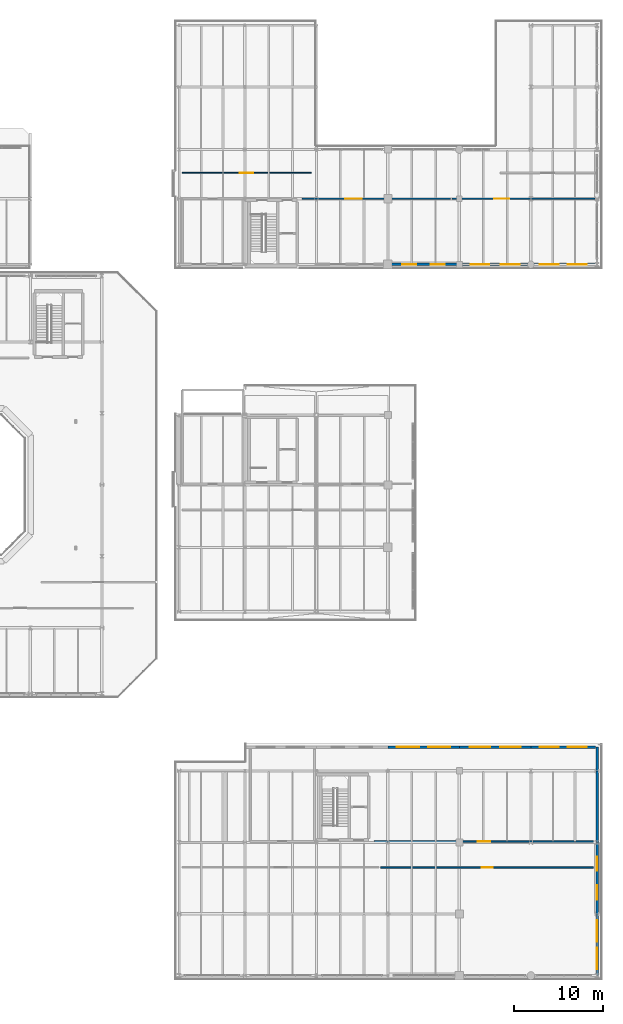
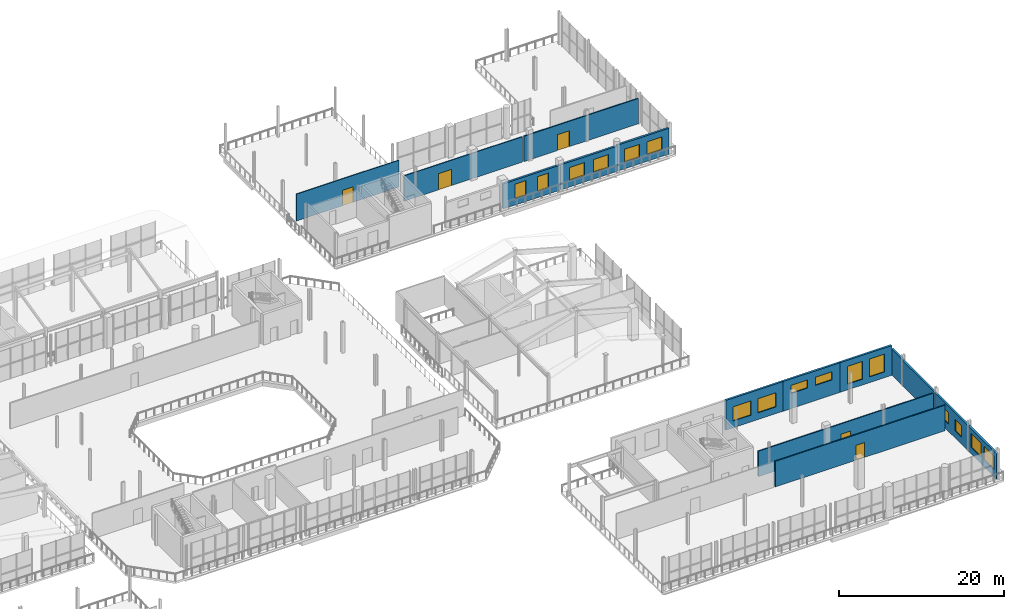
# One storey, part 53 of 70: 16 windows, 15 walls, 5 doors, 21 openings.
"""IFC4 building model written with IfcOpenShell, lengths in metres."""

from ifc_helpers import new_model, si_unit, direction, frame, frame_2d, origin, place, context, subcontext, project, spatial, rectangle, extrude, material, layer, layer_set, type_object, element, fill, save


model = new_model("IFC4")

# Units and contexts
model_context = context("Model", 3, precision=1e-05, world=origin(), true_north=direction((0.0, 1.0)))
body_context = subcontext(model_context, "Body", "Model", "MODEL_VIEW")
ifc_project = project(units=[si_unit("LENGTHUNIT", "METRE"), si_unit("AREAUNIT", "SQUARE_METRE"), si_unit("VOLUMEUNIT", "CUBIC_METRE"), si_unit("PLANEANGLEUNIT", "RADIAN"), si_unit("MASSUNIT", "GRAM", prefix="KILO")], contexts=[model_context])

# Site, building, storey
site_placement = place(None, origin())
site = spatial("IfcSite", under=ifc_project, at=site_placement, CompositionType="ELEMENT")
building_placement = place(site_placement, origin())
building = spatial("IfcBuilding", under=site, at=building_placement, Name="Brisemont Oceanarium", CompositionType="ELEMENT")
storey_placement = place(building_placement, frame((0.0, 0.0, 10.199951171875)))
storey = spatial("IfcBuildingStorey", under=building, at=storey_placement, Name="L02", CompositionType="ELEMENT", Elevation=10.199951171875)

# Wall, openings, windows
ifc_material_1 = material(Name="Beaux-Arts Limestone Cladding Precast Concrete C40/50", Category="masonry")
ifc_layer_1 = layer(ifc_material_1, 0.280029296875)
ifc_layer_set_1 = layer_set([ifc_layer_1], Name="Beaux-Arts Limestone Cladding Precast Concrete C40/50")
wall_type_1 = type_object("IfcWallType", Name="EW-LIME-280", PredefinedType="STANDARD", material=ifc_layer_set_1)
wall_1_placement = place(storey_placement, frame((136.0, 26.64990234375, 0.0), z_axis=(0.0, 0.0, 1.0), x_axis=(1.0, 0.0, 0.0)))
wall_1 = element("IfcWall", 1, at=wall_1_placement, inside=storey, type_object=wall_type_1, Name="Beaux-Arts exterior wall EW-V3N-L02-3", PredefinedType="STANDARD", context=body_context, shape_type="SweptSolid", body=[
    extrude(rectangle(XDim=8.0, YDim=0.280029296875, at=frame_2d((4.0, 0.0))), origin(), (0.0, 0.0, 1.0), 4.400146484375),
])
opening_1_placement = place(wall_1_placement, frame((1.0, 0.0, 1.0)))
opening_1 = element("IfcOpeningElement", 2, at=opening_1_placement, cuts=wall_1, Name="Opening WIN-09", PredefinedType="OPENING", context=body_context, shape_type="SweptSolid", body=[
    extrude(rectangle(XDim=2.5, YDim=2.10009765625, at=frame_2d((1.25, 1.050048828125))), frame((0.0, 0.14990234375, 0.0), z_axis=(0.0, -1.0, 0.0), x_axis=(1.0, 0.0, 0.0)), (0.0, 0.0, 1.0), 0.300048828125),
])
opening_2_placement = place(wall_1_placement, frame((4.5, 0.0, 1.0)))
opening_2 = element("IfcOpeningElement", 3, at=opening_2_placement, cuts=wall_1, Name="Opening WIN-09", PredefinedType="OPENING", context=body_context, shape_type="SweptSolid", body=[
    extrude(rectangle(XDim=2.5, YDim=2.10009765625, at=frame_2d((1.25, 1.050048828125))), frame((0.0, 0.14990234375, 0.0), z_axis=(0.0, -1.0, 0.0), x_axis=(1.0, 0.0, 0.0)), (0.0, 0.0, 1.0), 0.300048828125),
])
ifc_material_2 = material(Name="Insulated Low-E Laminated Glass", Category="glass")
window_type_1 = type_object("IfcWindowType", Name="WIN-LAB-2500X2100", PartitioningType="SINGLE_PANEL", PredefinedType="WINDOW", material=ifc_material_2)
window_1_placement = place(opening_1_placement, origin())
window_1 = element("IfcWindow", 4, at=window_1_placement, inside=storey, type_object=window_type_1, Name="WIN-09 facade window 9", OverallHeight=2.10009765625, OverallWidth=2.5, PartitioningType="SINGLE_PANEL", PredefinedType="WINDOW", context=body_context, shape_type="SweptSolid", body=[
    extrude(rectangle(XDim=2.5, YDim=2.10009765625, at=frame_2d((1.25, 1.050048828125))), frame((0.0, 0.030029296875, 0.0), z_axis=(0.0, -1.0, 0.0), x_axis=(1.0, 0.0, 0.0)), (0.0, 0.0, 1.0), 0.06005859375),
])
fill(opening_1, window_1)
window_2_placement = place(opening_2_placement, origin())
window_2 = element("IfcWindow", 5, at=window_2_placement, inside=storey, type_object=window_type_1, Name="WIN-09 facade window 10", OverallHeight=2.10009765625, OverallWidth=2.5, PartitioningType="SINGLE_PANEL", PredefinedType="WINDOW", context=body_context, shape_type="SweptSolid", body=[
    extrude(rectangle(XDim=2.5, YDim=2.10009765625, at=frame_2d((1.25, 1.050048828125))), frame((0.0, 0.030029296875, 0.0), z_axis=(0.0, -1.0, 0.0), x_axis=(1.0, 0.0, 0.0)), (0.0, 0.0, 1.0), 0.06005859375),
])
fill(opening_2, window_2)

wall_2_placement = place(storey_placement, frame((144.0, 26.64990234375, 0.0), z_axis=(0.0, 0.0, 1.0), x_axis=(1.0, 0.0, 0.0)))
wall_2 = element("IfcWall", 6, at=wall_2_placement, inside=storey, type_object=wall_type_1, Name="Beaux-Arts exterior wall EW-V3N-L02-4", PredefinedType="STANDARD", context=body_context, shape_type="SweptSolid", body=[
    extrude(rectangle(XDim=8.0, YDim=0.280029296875, at=frame_2d((4.0, 0.0))), origin(), (0.0, 0.0, 1.0), 4.400146484375),
])
opening_3_placement = place(wall_2_placement, frame((1.13330078125, 0.0, 2.25)))
opening_3 = element("IfcOpeningElement", 7, at=opening_3_placement, cuts=wall_2, Name="Opening WIN-13", PredefinedType="OPENING", context=body_context, shape_type="SweptSolid", body=[
    extrude(rectangle(XDim=2.300048828125, YDim=1.199951171875, at=frame_2d((1.14990234375, 0.60009765625))), frame((0.0, 0.14990234375, 0.0), z_axis=(0.0, -1.0, 0.0), x_axis=(1.0, 0.0, 0.0)), (0.0, 0.0, 1.0), 0.300048828125),
])
opening_4_placement = place(wall_2_placement, frame((4.566650390625, 0.0, 2.25)))
opening_4 = element("IfcOpeningElement", 8, at=opening_4_placement, cuts=wall_2, Name="Opening WIN-13", PredefinedType="OPENING", context=body_context, shape_type="SweptSolid", body=[
    extrude(rectangle(XDim=2.300048828125, YDim=1.199951171875, at=frame_2d((1.14990234375, 0.60009765625))), frame((0.0, 0.14990234375, 0.0), z_axis=(0.0, -1.0, 0.0), x_axis=(1.0, 0.0, 0.0)), (0.0, 0.0, 1.0), 0.300048828125),
])
ifc_material_3 = material(Name="Insulated Low-E Laminated Glass", Category="glass")
window_type_2 = type_object("IfcWindowType", Name="WIN-CLR-2300X1200", PartitioningType="SINGLE_PANEL", PredefinedType="WINDOW", material=ifc_material_3)
window_3_placement = place(opening_3_placement, origin())
window_3 = element("IfcWindow", 9, at=window_3_placement, inside=storey, type_object=window_type_2, Name="WIN-13 facade window 13", OverallHeight=1.199951171875, OverallWidth=2.300048828125, PartitioningType="SINGLE_PANEL", PredefinedType="WINDOW", context=body_context, shape_type="SweptSolid", body=[
    extrude(rectangle(XDim=2.300048828125, YDim=1.199951171875, at=frame_2d((1.14990234375, 0.60009765625))), frame((0.0, 0.030029296875, 0.0), z_axis=(0.0, -1.0, 0.0), x_axis=(1.0, 0.0, 0.0)), (0.0, 0.0, 1.0), 0.06005859375),
])
fill(opening_3, window_3)
window_4_placement = place(opening_4_placement, origin())
window_4 = element("IfcWindow", 10, at=window_4_placement, inside=storey, type_object=window_type_2, Name="WIN-13 facade window 14", OverallHeight=1.199951171875, OverallWidth=2.300048828125, PartitioningType="SINGLE_PANEL", PredefinedType="WINDOW", context=body_context, shape_type="SweptSolid", body=[
    extrude(rectangle(XDim=2.300048828125, YDim=1.199951171875, at=frame_2d((1.14990234375, 0.60009765625))), frame((0.0, 0.030029296875, 0.0), z_axis=(0.0, -1.0, 0.0), x_axis=(1.0, 0.0, 0.0)), (0.0, 0.0, 1.0), 0.06005859375),
])
fill(opening_4, window_4)

wall_3_placement = place(storey_placement, frame((152.0, 26.64990234375, 0.0), z_axis=(0.0, 0.0, 1.0), x_axis=(1.0, 0.0, 0.0)))
wall_3 = element("IfcWall", 11, at=wall_3_placement, inside=storey, type_object=wall_type_1, Name="Beaux-Arts exterior wall EW-V3N-L02-5", PredefinedType="STANDARD", context=body_context, shape_type="SweptSolid", body=[
    extrude(rectangle(XDim=7.25, YDim=0.280029296875, at=frame_2d((3.625, 0.0))), origin(), (0.0, 0.0, 1.0), 4.400146484375),
])
opening_5_placement = place(wall_3_placement, frame((1.0166015625, 0.0, 0.85009765625)))
opening_5 = element("IfcOpeningElement", 12, at=opening_5_placement, cuts=wall_3, Name="Opening WIN-17", PredefinedType="OPENING", context=body_context, shape_type="SweptSolid", body=[
    extrude(rectangle(XDim=2.10009765625, YDim=2.64990234375, at=frame_2d((1.050048828125, 1.324951171875))), frame((0.0, 0.14990234375, 0.0), z_axis=(0.0, -1.0, 0.0), x_axis=(1.0, 0.0, 0.0)), (0.0, 0.0, 1.0), 0.300048828125),
])
opening_6_placement = place(wall_3_placement, frame((4.13330078125, 0.0, 0.85009765625)))
opening_6 = element("IfcOpeningElement", 13, at=opening_6_placement, cuts=wall_3, Name="Opening WIN-17", PredefinedType="OPENING", context=body_context, shape_type="SweptSolid", body=[
    extrude(rectangle(XDim=2.10009765625, YDim=2.64990234375, at=frame_2d((1.050048828125, 1.324951171875))), frame((0.0, 0.14990234375, 0.0), z_axis=(0.0, -1.0, 0.0), x_axis=(1.0, 0.0, 0.0)), (0.0, 0.0, 1.0), 0.300048828125),
])
ifc_material_4 = material(Name="Insulated Low-E Laminated Glass", Category="glass")
window_type_3 = type_object("IfcWindowType", Name="WIN-BA-2100X2650", PartitioningType="SINGLE_PANEL", PredefinedType="WINDOW", material=ifc_material_4)
window_5_placement = place(opening_5_placement, origin())
window_5 = element("IfcWindow", 14, at=window_5_placement, inside=storey, type_object=window_type_3, Name="WIN-17 facade window 17", OverallHeight=2.64990234375, OverallWidth=2.10009765625, PartitioningType="SINGLE_PANEL", PredefinedType="WINDOW", context=body_context, shape_type="SweptSolid", body=[
    extrude(rectangle(XDim=2.10009765625, YDim=2.64990234375, at=frame_2d((1.050048828125, 1.324951171875))), frame((0.0, 0.030029296875, 0.0), z_axis=(0.0, -1.0, 0.0), x_axis=(1.0, 0.0, 0.0)), (0.0, 0.0, 1.0), 0.06005859375),
])
fill(opening_5, window_5)
window_6_placement = place(opening_6_placement, origin())
window_6 = element("IfcWindow", 15, at=window_6_placement, inside=storey, type_object=window_type_3, Name="WIN-17 facade window 18", OverallHeight=2.64990234375, OverallWidth=2.10009765625, PartitioningType="SINGLE_PANEL", PredefinedType="WINDOW", context=body_context, shape_type="SweptSolid", body=[
    extrude(rectangle(XDim=2.10009765625, YDim=2.64990234375, at=frame_2d((1.050048828125, 1.324951171875))), frame((0.0, 0.030029296875, 0.0), z_axis=(0.0, -1.0, 0.0), x_axis=(1.0, 0.0, 0.0)), (0.0, 0.0, 1.0), 0.06005859375),
])
fill(opening_6, window_6)

wall_4_placement = place(storey_placement, frame((136.0, 80.64990234375, 0.0), z_axis=(0.0, 0.0, 1.0), x_axis=(1.0, 0.0, 0.0)))
wall_4 = element("IfcWall", 16, at=wall_4_placement, inside=storey, type_object=wall_type_1, Name="Beaux-Arts exterior wall EW-V6S-L02-4", PredefinedType="STANDARD", context=body_context, shape_type="SweptSolid", body=[
    extrude(rectangle(XDim=8.0, YDim=0.280029296875, at=frame_2d((4.0, 0.0))), origin(), (0.0, 0.0, 1.0), 3.719970703125),
])
opening_7_placement = place(wall_4_placement, frame((1.63330078125, 0.0, 0.949951171875)))
opening_7 = element("IfcOpeningElement", 17, at=opening_7_placement, cuts=wall_4, Name="Opening WIN-21", PredefinedType="OPENING", context=body_context, shape_type="SweptSolid", body=[
    extrude(rectangle(XDim=1.550048828125, YDim=2.14990234375, at=frame_2d((0.77490234375, 1.074951171875))), frame((0.0, 0.14990234375, 0.0), z_axis=(0.0, -1.0, 0.0), x_axis=(1.0, 0.0, 0.0)), (0.0, 0.0, 1.0), 0.300048828125),
])
opening_8_placement = place(wall_4_placement, frame((4.816650390625, 0.0, 0.949951171875)))
opening_8 = element("IfcOpeningElement", 18, at=opening_8_placement, cuts=wall_4, Name="Opening WIN-21", PredefinedType="OPENING", context=body_context, shape_type="SweptSolid", body=[
    extrude(rectangle(XDim=1.550048828125, YDim=2.14990234375, at=frame_2d((0.77490234375, 1.074951171875))), frame((0.0, 0.14990234375, 0.0), z_axis=(0.0, -1.0, 0.0), x_axis=(1.0, 0.0, 0.0)), (0.0, 0.0, 1.0), 0.300048828125),
])
ifc_material_5 = material(Name="Insulated Low-E Laminated Glass", Category="glass")
window_type_4 = type_object("IfcWindowType", Name="WIN-BA-1550X2150", PartitioningType="SINGLE_PANEL", PredefinedType="WINDOW", material=ifc_material_5)
window_7_placement = place(opening_7_placement, origin())
window_7 = element("IfcWindow", 19, at=window_7_placement, inside=storey, type_object=window_type_4, Name="WIN-21 facade window 75", OverallHeight=2.14990234375, OverallWidth=1.550048828125, PartitioningType="SINGLE_PANEL", PredefinedType="WINDOW", context=body_context, shape_type="SweptSolid", body=[
    extrude(rectangle(XDim=1.550048828125, YDim=2.14990234375, at=frame_2d((0.77490234375, 1.074951171875))), frame((0.0, 0.030029296875, 0.0), z_axis=(0.0, -1.0, 0.0), x_axis=(1.0, 0.0, 0.0)), (0.0, 0.0, 1.0), 0.06005859375),
])
fill(opening_7, window_7)
window_8_placement = place(opening_8_placement, origin())
window_8 = element("IfcWindow", 20, at=window_8_placement, inside=storey, type_object=window_type_4, Name="WIN-21 facade window 76", OverallHeight=2.14990234375, OverallWidth=1.550048828125, PartitioningType="SINGLE_PANEL", PredefinedType="WINDOW", context=body_context, shape_type="SweptSolid", body=[
    extrude(rectangle(XDim=1.550048828125, YDim=2.14990234375, at=frame_2d((0.77490234375, 1.074951171875))), frame((0.0, 0.030029296875, 0.0), z_axis=(0.0, -1.0, 0.0), x_axis=(1.0, 0.0, 0.0)), (0.0, 0.0, 1.0), 0.06005859375),
])
fill(opening_8, window_8)

wall_5_placement = place(storey_placement, frame((144.0, 80.64990234375, 0.0), z_axis=(0.0, 0.0, 1.0), x_axis=(1.0, 0.0, 0.0)))
wall_5 = element("IfcWall", 21, at=wall_5_placement, inside=storey, type_object=wall_type_1, Name="Beaux-Arts exterior wall EW-V6S-L02-5", PredefinedType="STANDARD", context=body_context, shape_type="SweptSolid", body=[
    extrude(rectangle(XDim=8.0, YDim=0.280029296875, at=frame_2d((4.0, 0.0))), origin(), (0.0, 0.0, 1.0), 3.719970703125),
])
opening_9_placement = place(wall_5_placement, frame((1.2666015625, 0.0, 1.0)))
opening_9 = element("IfcOpeningElement", 22, at=opening_9_placement, cuts=wall_5, Name="Opening WIN-10", PredefinedType="OPENING", context=body_context, shape_type="SweptSolid", body=[
    extrude(rectangle(XDim=2.10009765625, YDim=1.89990234375, at=frame_2d((1.050048828125, 0.949951171875))), frame((0.0, 0.14990234375, 0.0), z_axis=(0.0, -1.0, 0.0), x_axis=(1.0, 0.0, 0.0)), (0.0, 0.0, 1.0), 0.300048828125),
])
opening_10_placement = place(wall_5_placement, frame((4.63330078125, 0.0, 1.0)))
opening_10 = element("IfcOpeningElement", 23, at=opening_10_placement, cuts=wall_5, Name="Opening WIN-10", PredefinedType="OPENING", context=body_context, shape_type="SweptSolid", body=[
    extrude(rectangle(XDim=2.10009765625, YDim=1.89990234375, at=frame_2d((1.050048828125, 0.949951171875))), frame((0.0, 0.14990234375, 0.0), z_axis=(0.0, -1.0, 0.0), x_axis=(1.0, 0.0, 0.0)), (0.0, 0.0, 1.0), 0.300048828125),
])
ifc_material_6 = material(Name="Insulated Low-E Laminated Glass", Category="glass")
window_type_5 = type_object("IfcWindowType", Name="WIN-LAB-2100X1900", PartitioningType="SINGLE_PANEL", PredefinedType="WINDOW", material=ifc_material_6)
window_9_placement = place(opening_9_placement, origin())
window_9 = element("IfcWindow", 24, at=window_9_placement, inside=storey, type_object=window_type_5, Name="WIN-10 facade window 83", OverallHeight=1.89990234375, OverallWidth=2.10009765625, PartitioningType="SINGLE_PANEL", PredefinedType="WINDOW", context=body_context, shape_type="SweptSolid", body=[
    extrude(rectangle(XDim=2.10009765625, YDim=1.89990234375, at=frame_2d((1.050048828125, 0.949951171875))), frame((0.0, 0.030029296875, 0.0), z_axis=(0.0, -1.0, 0.0), x_axis=(1.0, 0.0, 0.0)), (0.0, 0.0, 1.0), 0.06005859375),
])
fill(opening_9, window_9)
window_10_placement = place(opening_10_placement, origin())
window_10 = element("IfcWindow", 25, at=window_10_placement, inside=storey, type_object=window_type_5, Name="WIN-10 facade window 84", OverallHeight=1.89990234375, OverallWidth=2.10009765625, PartitioningType="SINGLE_PANEL", PredefinedType="WINDOW", context=body_context, shape_type="SweptSolid", body=[
    extrude(rectangle(XDim=2.10009765625, YDim=1.89990234375, at=frame_2d((1.050048828125, 0.949951171875))), frame((0.0, 0.030029296875, 0.0), z_axis=(0.0, -1.0, 0.0), x_axis=(1.0, 0.0, 0.0)), (0.0, 0.0, 1.0), 0.06005859375),
])
fill(opening_10, window_10)

wall_6_placement = place(storey_placement, frame((152.0, 80.64990234375, 0.0), z_axis=(0.0, 0.0, 1.0), x_axis=(1.0, 0.0, 0.0)))
wall_6 = element("IfcWall", 26, at=wall_6_placement, inside=storey, type_object=wall_type_1, Name="Beaux-Arts exterior wall EW-V6S-L02-6", PredefinedType="STANDARD", context=body_context, shape_type="SweptSolid", body=[
    extrude(rectangle(XDim=7.25, YDim=0.280029296875, at=frame_2d((3.625, 0.0))), origin(), (0.0, 0.0, 1.0), 3.837158203125),
])
opening_11_placement = place(wall_6_placement, frame((1.0166015625, 0.0, 1.0)))
opening_11 = element("IfcOpeningElement", 27, at=opening_11_placement, cuts=wall_6, Name="Opening WIN-10", PredefinedType="OPENING", context=body_context, shape_type="SweptSolid", body=[
    extrude(rectangle(XDim=2.10009765625, YDim=1.89990234375, at=frame_2d((1.050048828125, 0.949951171875))), frame((0.0, 0.14990234375, 0.0), z_axis=(0.0, -1.0, 0.0), x_axis=(1.0, 0.0, 0.0)), (0.0, 0.0, 1.0), 0.300048828125),
])
opening_12_placement = place(wall_6_placement, frame((4.13330078125, 0.0, 1.0)))
opening_12 = element("IfcOpeningElement", 28, at=opening_12_placement, cuts=wall_6, Name="Opening WIN-10", PredefinedType="OPENING", context=body_context, shape_type="SweptSolid", body=[
    extrude(rectangle(XDim=2.10009765625, YDim=1.89990234375, at=frame_2d((1.050048828125, 0.949951171875))), frame((0.0, 0.14990234375, 0.0), z_axis=(0.0, -1.0, 0.0), x_axis=(1.0, 0.0, 0.0)), (0.0, 0.0, 1.0), 0.300048828125),
])
window_11_placement = place(opening_11_placement, origin())
window_11 = element("IfcWindow", 29, at=window_11_placement, inside=storey, type_object=window_type_5, Name="WIN-10 facade window 91", OverallHeight=1.89990234375, OverallWidth=2.10009765625, PartitioningType="SINGLE_PANEL", PredefinedType="WINDOW", context=body_context, shape_type="SweptSolid", body=[
    extrude(rectangle(XDim=2.10009765625, YDim=1.89990234375, at=frame_2d((1.050048828125, 0.949951171875))), frame((0.0, 0.030029296875, 0.0), z_axis=(0.0, -1.0, 0.0), x_axis=(1.0, 0.0, 0.0)), (0.0, 0.0, 1.0), 0.06005859375),
])
fill(opening_11, window_11)
window_12_placement = place(opening_12_placement, origin())
window_12 = element("IfcWindow", 30, at=window_12_placement, inside=storey, type_object=window_type_5, Name="WIN-10 facade window 92", OverallHeight=1.89990234375, OverallWidth=2.10009765625, PartitioningType="SINGLE_PANEL", PredefinedType="WINDOW", context=body_context, shape_type="SweptSolid", body=[
    extrude(rectangle(XDim=2.10009765625, YDim=1.89990234375, at=frame_2d((1.050048828125, 0.949951171875))), frame((0.0, 0.030029296875, 0.0), z_axis=(0.0, -1.0, 0.0), x_axis=(1.0, 0.0, 0.0)), (0.0, 0.0, 1.0), 0.06005859375),
])
fill(opening_12, window_12)

wall_7_placement = place(storey_placement, frame((159.39990234375, 1.10009765625, 0.0), z_axis=(0.0, 0.0, 1.0), x_axis=(0.0, 1.0, 0.0)))
wall_7 = element("IfcWall", 31, at=wall_7_placement, inside=storey, type_object=wall_type_1, Name="Beaux-Arts exterior wall EW-V3-E-L02-1", PredefinedType="STANDARD", context=body_context, shape_type="SweptSolid", body=[
    extrude(rectangle(XDim=6.89990234375, YDim=0.280029296875, at=frame_2d((3.449951171875, 0.0))), origin(), (0.0, 0.0, 1.0), 3.739990234375),
])
opening_13_placement = place(wall_7_placement, frame((0.699951171875, 0.0, 1.0)))
opening_13 = element("IfcOpeningElement", 32, at=opening_13_placement, cuts=wall_7, Name="Opening WIN-25", PredefinedType="OPENING", context=body_context, shape_type="SweptSolid", body=[
    extrude(rectangle(XDim=2.39990234375, YDim=2.050048828125, at=frame_2d((1.199951171875, 1.02490234375))), frame((0.0, 0.14990234375, 0.0), z_axis=(0.0, -1.0, 0.0), x_axis=(1.0, 0.0, 0.0)), (0.0, 0.0, 1.0), 0.300048828125),
])
opening_14_placement = place(wall_7_placement, frame((3.800048828125, 0.0, 1.0)))
opening_14 = element("IfcOpeningElement", 33, at=opening_14_placement, cuts=wall_7, Name="Opening WIN-25", PredefinedType="OPENING", context=body_context, shape_type="SweptSolid", body=[
    extrude(rectangle(XDim=2.39990234375, YDim=2.050048828125, at=frame_2d((1.199951171875, 1.02490234375))), frame((0.0, 0.14990234375, 0.0), z_axis=(0.0, -1.0, 0.0), x_axis=(1.0, 0.0, 0.0)), (0.0, 0.0, 1.0), 0.300048828125),
])
ifc_material_7 = material(Name="Insulated Low-E Laminated Glass", Category="glass")
window_type_6 = type_object("IfcWindowType", Name="WIN-LAB-2400X2050", PartitioningType="SINGLE_PANEL", PredefinedType="WINDOW", material=ifc_material_7)
window_13_placement = place(opening_13_placement, origin())
window_13 = element("IfcWindow", 34, at=window_13_placement, inside=storey, type_object=window_type_6, Name="WIN-25 facade window 106", OverallHeight=2.050048828125, OverallWidth=2.39990234375, PartitioningType="SINGLE_PANEL", PredefinedType="WINDOW", context=body_context, shape_type="SweptSolid", body=[
    extrude(rectangle(XDim=2.39990234375, YDim=2.050048828125, at=frame_2d((1.199951171875, 1.02490234375))), frame((0.0, 0.030029296875, 0.0), z_axis=(0.0, -1.0, 0.0), x_axis=(1.0, 0.0, 0.0)), (0.0, 0.0, 1.0), 0.06005859375),
])
fill(opening_13, window_13)
window_14_placement = place(opening_14_placement, origin())
window_14 = element("IfcWindow", 35, at=window_14_placement, inside=storey, type_object=window_type_6, Name="WIN-25 facade window 107", OverallHeight=2.050048828125, OverallWidth=2.39990234375, PartitioningType="SINGLE_PANEL", PredefinedType="WINDOW", context=body_context, shape_type="SweptSolid", body=[
    extrude(rectangle(XDim=2.39990234375, YDim=2.050048828125, at=frame_2d((1.199951171875, 1.02490234375))), frame((0.0, 0.030029296875, 0.0), z_axis=(0.0, -1.0, 0.0), x_axis=(1.0, 0.0, 0.0)), (0.0, 0.0, 1.0), 0.06005859375),
])
fill(opening_14, window_14)

wall_8_placement = place(storey_placement, frame((159.39990234375, 8.0, 0.0), z_axis=(0.0, 0.0, 1.0), x_axis=(0.0, 1.0, 0.0)))
wall_8 = element("IfcWall", 36, at=wall_8_placement, inside=storey, type_object=wall_type_1, Name="Beaux-Arts exterior wall EW-V3-E-L02-2", PredefinedType="STANDARD", context=body_context, shape_type="SweptSolid", body=[
    extrude(rectangle(XDim=8.0, YDim=0.280029296875, at=frame_2d((4.0, 0.0))), origin(), (0.0, 0.0, 1.0), 3.739990234375),
])
opening_15_placement = place(wall_8_placement, frame((1.60009765625, 0.0, 1.050048828125)))
opening_15 = element("IfcOpeningElement", 37, at=opening_15_placement, cuts=wall_8, Name="Opening WIN-27", PredefinedType="OPENING", context=body_context, shape_type="SweptSolid", body=[
    extrude(rectangle(XDim=1.60009765625, YDim=1.75, at=frame_2d((0.800048828125, 0.875))), frame((0.0, 0.14990234375, 0.0), z_axis=(0.0, -1.0, 0.0), x_axis=(1.0, 0.0, 0.0)), (0.0, 0.0, 1.0), 0.300048828125),
])
opening_16_placement = place(wall_8_placement, frame((4.800048828125, 0.0, 1.050048828125)))
opening_16 = element("IfcOpeningElement", 38, at=opening_16_placement, cuts=wall_8, Name="Opening WIN-27", PredefinedType="OPENING", context=body_context, shape_type="SweptSolid", body=[
    extrude(rectangle(XDim=1.60009765625, YDim=1.75, at=frame_2d((0.800048828125, 0.875))), frame((0.0, 0.14990234375, 0.0), z_axis=(0.0, -1.0, 0.0), x_axis=(1.0, 0.0, 0.0)), (0.0, 0.0, 1.0), 0.300048828125),
])
ifc_material_8 = material(Name="Insulated Low-E Laminated Glass", Category="glass")
window_type_7 = type_object("IfcWindowType", Name="WIN-LAB-1600X1750", PartitioningType="SINGLE_PANEL", PredefinedType="WINDOW", material=ifc_material_8)
window_15_placement = place(opening_15_placement, origin())
window_15 = element("IfcWindow", 39, at=window_15_placement, inside=storey, type_object=window_type_7, Name="WIN-27 facade window 108", OverallHeight=1.75, OverallWidth=1.60009765625, PartitioningType="SINGLE_PANEL", PredefinedType="WINDOW", context=body_context, shape_type="SweptSolid", body=[
    extrude(rectangle(XDim=1.60009765625, YDim=1.75, at=frame_2d((0.800048828125, 0.875))), frame((0.0, 0.030029296875, 0.0), z_axis=(0.0, -1.0, 0.0), x_axis=(1.0, 0.0, 0.0)), (0.0, 0.0, 1.0), 0.06005859375),
])
fill(opening_15, window_15)
window_16_placement = place(opening_16_placement, origin())
window_16 = element("IfcWindow", 40, at=window_16_placement, inside=storey, type_object=window_type_7, Name="WIN-27 facade window 109", OverallHeight=1.75, OverallWidth=1.60009765625, PartitioningType="SINGLE_PANEL", PredefinedType="WINDOW", context=body_context, shape_type="SweptSolid", body=[
    extrude(rectangle(XDim=1.60009765625, YDim=1.75, at=frame_2d((0.800048828125, 0.875))), frame((0.0, 0.030029296875, 0.0), z_axis=(0.0, -1.0, 0.0), x_axis=(1.0, 0.0, 0.0)), (0.0, 0.0, 1.0), 0.06005859375),
])
fill(opening_16, window_16)

# Walls
wall_9_placement = place(storey_placement, frame((159.39990234375, 16.0, 0.0), z_axis=(0.0, 0.0, 1.0), x_axis=(0.0, 1.0, 0.0)))
element("IfcWall", 41, at=wall_9_placement, inside=storey, type_object=wall_type_1, Name="Beaux-Arts exterior wall EW-V3-E-L02-3", PredefinedType="STANDARD", context=body_context, shape_type="SweptSolid", body=[
    extrude(rectangle(XDim=8.0, YDim=0.280029296875, at=frame_2d((4.0, 0.0))), origin(), (0.0, 0.0, 1.0), 3.739990234375),
])
wall_10_placement = place(storey_placement, frame((159.39990234375, 24.0, 0.0), z_axis=(0.0, 0.0, 1.0), x_axis=(0.0, 1.0, 0.0)))
element("IfcWall", 42, at=wall_10_placement, inside=storey, type_object=wall_type_1, Name="Beaux-Arts exterior wall EW-V3-E-L02-4", PredefinedType="STANDARD", context=body_context, shape_type="SweptSolid", body=[
    extrude(rectangle(XDim=2.64990234375, YDim=0.280029296875, at=frame_2d((1.324951171875, 0.0))), origin(), (0.0, 0.0, 1.0), 3.862060546875),
])

# Wall, opening, door
ifc_material_9 = material(Name="Moisture-Resistant Gypsum Steel-Stud Partition", Category="steel")
ifc_layer_2 = layer(ifc_material_9, 0.159912109375)
ifc_layer_set_2 = layer_set([ifc_layer_2], Name="Moisture-Resistant Gypsum Steel-Stud Partition")
wall_type_2 = type_object("IfcWallType", Name="IW-FB-160", PredefinedType="PARTITIONING", material=ifc_layer_set_2)
wall_11_placement = place(storey_placement, frame((135.199951171875, 13.199951171875, 0.0), z_axis=(0.0, 0.0, 1.0), x_axis=(1.0, 0.0, 0.0)))
wall_11 = element("IfcWall", 43, at=wall_11_placement, inside=storey, type_object=wall_type_2, Name="Education Centre Marine Robotics Workshop corridor partition", PredefinedType="PARTITIONING", context=body_context, shape_type="SweptSolid", body=[
    extrude(rectangle(XDim=23.800048828125, YDim=0.159912109375, at=frame_2d((11.89990234375, 0.0))), origin(), (0.0, 0.0, 1.0), 3.787109375),
])
opening_17_placement = place(wall_11_placement, frame((11.27490234375, 0.0, 0.0)))
opening_17 = element("IfcOpeningElement", 44, at=opening_17_placement, cuts=wall_11, Name="Opening LB-02", PredefinedType="OPENING", context=body_context, shape_type="SweptSolid", body=[
    extrude(rectangle(XDim=1.25, YDim=2.199951171875, at=frame_2d((0.625, 1.10009765625))), frame((0.0, 0.08984375, 0.0), z_axis=(0.0, -1.0, 0.0), x_axis=(1.0, 0.0, 0.0)), (0.0, 0.0, 1.0), 0.179931640625),
])
ifc_material_10 = material(Name="Duplex Stainless Steel EN 1.4462", Category="steel")
door_type_1 = type_object("IfcDoorType", Name="DR-LAB-1250X2200", OperationType="NOTDEFINED", PredefinedType="DOOR", material=ifc_material_10)
door_1_placement = place(opening_17_placement, origin())
door_1 = element("IfcDoor", 45, at=door_1_placement, inside=storey, type_object=door_type_1, Name="LB-02 door to Education Centre Marine Robotics Workshop", OperationType="SINGLE_SWING_RIGHT", OverallHeight=2.199951171875, OverallWidth=1.25, PredefinedType="DOOR", context=body_context, shape_type="SweptSolid", body=[
    extrude(rectangle(XDim=1.25, YDim=2.199951171875, at=frame_2d((0.625, 1.10009765625))), frame((0.0, 0.02490234375, 0.0), z_axis=(0.0, -1.0, 0.0), x_axis=(1.0, 0.0, 0.0)), (0.0, 0.0, 1.0), 0.050048828125),
])
fill(opening_17, door_1)

wall_12_placement = place(storey_placement, frame((134.5, 16.10009765625, 0.0), z_axis=(0.0, 0.0, 1.0), x_axis=(1.0, 0.0, 0.0)))
wall_12 = element("IfcWall", 46, at=wall_12_placement, inside=storey, type_object=wall_type_2, Name="Education Centre Faculty Colloquium Room corridor partition", PredefinedType="PARTITIONING", context=body_context, shape_type="SweptSolid", body=[
    extrude(rectangle(XDim=24.5, YDim=0.159912109375, at=frame_2d((12.25, 0.0))), origin(), (0.0, 0.0, 1.0), 3.778076171875),
])
opening_18_placement = place(wall_12_placement, frame((11.56005859375, 0.0, 0.0)))
opening_18 = element("IfcOpeningElement", 47, at=opening_18_placement, cuts=wall_12, Name="Opening PD-01", PredefinedType="OPENING", context=body_context, shape_type="SweptSolid", body=[
    extrude(rectangle(XDim=1.3798828125, YDim=2.25, at=frame_2d((0.68994140625, 1.125))), frame((0.0, 0.08984375, 0.0), z_axis=(0.0, -1.0, 0.0), x_axis=(1.0, 0.0, 0.0)), (0.0, 0.0, 1.0), 0.179931640625),
])
ifc_material_11 = material(Name="Duplex Stainless Steel EN 1.4462", Category="steel")
door_type_2 = type_object("IfcDoorType", Name="DR-PLT-1380X2250", OperationType="NOTDEFINED", PredefinedType="DOOR", material=ifc_material_11)
door_2_placement = place(opening_18_placement, origin())
door_2 = element("IfcDoor", 48, at=door_2_placement, inside=storey, type_object=door_type_2, Name="PD-01 door to Education Centre Faculty Colloquium Room", OperationType="SINGLE_SWING_RIGHT", OverallHeight=2.25, OverallWidth=1.3798828125, PredefinedType="DOOR", context=body_context, shape_type="SweptSolid", body=[
    extrude(rectangle(XDim=1.3798828125, YDim=2.25, at=frame_2d((0.68994140625, 1.125))), frame((0.0, 0.02490234375, 0.0), z_axis=(0.0, -1.0, 0.0), x_axis=(1.0, 0.0, 0.0)), (0.0, 0.0, 1.0), 0.050048828125),
])
fill(opening_18, door_2)

wall_13_placement = place(storey_placement, frame((143.199951171875, 88.0, 0.0), z_axis=(0.0, 0.0, 1.0), x_axis=(1.0, 0.0, 0.0)))
wall_13 = element("IfcWall", 49, at=wall_13_placement, inside=storey, type_object=wall_type_2, Name="Bioinformatics and Ocean Modeling Dry Lab corridor partition", PredefinedType="PARTITIONING", context=body_context, shape_type="SweptSolid", body=[
    extrude(rectangle(XDim=16.0, YDim=0.159912109375, at=frame_2d((8.0, 0.0))), origin(), (0.0, 0.0, 1.0), 3.758056640625),
])
opening_19_placement = place(wall_13_placement, frame((4.707275390625, 0.0, 0.0)))
opening_19 = element("IfcOpeningElement", 50, at=opening_19_placement, cuts=wall_13, Name="Opening GD-02", PredefinedType="OPENING", context=body_context, shape_type="SweptSolid", body=[
    extrude(rectangle(XDim=1.64990234375, YDim=2.35009765625, at=frame_2d((0.824951171875, 1.175048828125))), frame((0.0, 0.08984375, 0.0), z_axis=(0.0, -1.0, 0.0), x_axis=(1.0, 0.0, 0.0)), (0.0, 0.0, 1.0), 0.179931640625),
])
ifc_material_12 = material(Name="Patinated Architectural Bronze C38500")
door_type_3 = type_object("IfcDoorType", Name="DR-GAL-1650X2350", OperationType="NOTDEFINED", PredefinedType="DOOR", material=ifc_material_12)
door_3_placement = place(opening_19_placement, origin())
door_3 = element("IfcDoor", 51, at=door_3_placement, inside=storey, type_object=door_type_3, Name="GD-02 door to Bioinformatics and Ocean Modeling Dry Lab", OperationType="SINGLE_SWING_LEFT", OverallHeight=2.35009765625, OverallWidth=1.64990234375, PredefinedType="DOOR", context=body_context, shape_type="SweptSolid", body=[
    extrude(rectangle(XDim=1.64990234375, YDim=2.35009765625, at=frame_2d((0.824951171875, 1.175048828125))), frame((0.0, 0.02490234375, 0.0), z_axis=(0.0, -1.0, 0.0), x_axis=(1.0, 0.0, 0.0)), (0.0, 0.0, 1.0), 0.050048828125),
])
fill(opening_19, door_3)

ifc_material_13 = material(Name="Moisture-Resistant Gypsum Steel-Stud Partition", Category="steel")
ifc_layer_3 = layer(ifc_material_13, 0.1201171875)
ifc_layer_set_3 = layer_set([ifc_layer_3], Name="Moisture-Resistant Gypsum Steel-Stud Partition")
wall_type_3 = type_object("IfcWallType", Name="IW-PART-120", PredefinedType="PARTITIONING", material=ifc_layer_set_3)
wall_14_placement = place(storey_placement, frame((126.39990234375, 88.0, 0.0), z_axis=(0.0, 0.0, 1.0), x_axis=(1.0, 0.0, 0.0)))
wall_14 = element("IfcWall", 52, at=wall_14_placement, inside=storey, type_object=wall_type_3, Name="Marine Genomics and eDNA Sequencing Laboratory corridor partition", PredefinedType="PARTITIONING", context=body_context, shape_type="SweptSolid", body=[
    extrude(rectangle(XDim=16.60009765625, YDim=0.1201171875, at=frame_2d((8.300048828125, 0.0))), origin(), (0.0, 0.0, 1.0), 3.758056640625),
])
opening_20_placement = place(wall_14_placement, frame((4.851318359375, 0.0, 0.0)))
opening_20 = element("IfcOpeningElement", 53, at=opening_20_placement, cuts=wall_14, Name="Opening GD-01", PredefinedType="OPENING", context=body_context, shape_type="SweptSolid", body=[
    extrude(rectangle(XDim=1.800048828125, YDim=2.39990234375, at=frame_2d((0.89990234375, 1.199951171875))), frame((0.0, 0.070068359375, 0.0), z_axis=(0.0, -1.0, 0.0), x_axis=(1.0, 0.0, 0.0)), (0.0, 0.0, 1.0), 0.14013671875),
])
ifc_material_14 = material(Name="Patinated Architectural Bronze C38500")
door_type_4 = type_object("IfcDoorType", Name="DR-GAL-1800X2400", OperationType="NOTDEFINED", PredefinedType="DOOR", material=ifc_material_14)
door_4_placement = place(opening_20_placement, origin())
door_4 = element("IfcDoor", 54, at=door_4_placement, inside=storey, type_object=door_type_4, Name="GD-01 door to Marine Genomics and eDNA Sequencing Laboratory", OperationType="SINGLE_SWING_RIGHT", OverallHeight=2.39990234375, OverallWidth=1.800048828125, PredefinedType="DOOR", context=body_context, shape_type="SweptSolid", body=[
    extrude(rectangle(XDim=1.800048828125, YDim=2.39990234375, at=frame_2d((0.89990234375, 1.199951171875))), frame((0.0, 0.02490234375, 0.0), z_axis=(0.0, -1.0, 0.0), x_axis=(1.0, 0.0, 0.0)), (0.0, 0.0, 1.0), 0.050048828125),
])
fill(opening_20, door_4)

wall_15_placement = place(storey_placement, frame((113.0, 90.89990234375, 0.0), z_axis=(0.0, 0.0, 1.0), x_axis=(1.0, 0.0, 0.0)))
wall_15 = element("IfcWall", 55, at=wall_15_placement, inside=storey, type_object=wall_type_3, Name="Isotope Paleo-Oceanography Laboratory corridor partition", PredefinedType="PARTITIONING", context=body_context, shape_type="SweptSolid", body=[
    extrude(rectangle(XDim=14.39990234375, YDim=0.1201171875, at=frame_2d((7.199951171875, 0.0))), origin(), (0.0, 0.0, 1.0), 3.987060546875),
])
opening_21_placement = place(wall_15_placement, frame((6.449951171875, 0.0, 0.0)))
opening_21 = element("IfcOpeningElement", 56, at=opening_21_placement, cuts=wall_15, Name="Opening GD-03", PredefinedType="OPENING", context=body_context, shape_type="SweptSolid", body=[
    extrude(rectangle(XDim=1.5, YDim=2.300048828125, at=frame_2d((0.75, 1.14990234375))), frame((0.0, 0.070068359375, 0.0), z_axis=(0.0, -1.0, 0.0), x_axis=(1.0, 0.0, 0.0)), (0.0, 0.0, 1.0), 0.14013671875),
])
ifc_material_15 = material(Name="Patinated Architectural Bronze C38500")
door_type_5 = type_object("IfcDoorType", Name="DR-GAL-1500X2300", OperationType="NOTDEFINED", PredefinedType="DOOR", material=ifc_material_15)
door_5_placement = place(opening_21_placement, origin())
door_5 = element("IfcDoor", 57, at=door_5_placement, inside=storey, type_object=door_type_5, Name="GD-03 door to Isotope Paleo-Oceanography Laboratory", OperationType="SINGLE_SWING_RIGHT", OverallHeight=2.300048828125, OverallWidth=1.5, PredefinedType="DOOR", context=body_context, shape_type="SweptSolid", body=[
    extrude(rectangle(XDim=1.5, YDim=2.300048828125, at=frame_2d((0.75, 1.14990234375))), frame((0.0, 0.02490234375, 0.0), z_axis=(0.0, -1.0, 0.0), x_axis=(1.0, 0.0, 0.0)), (0.0, 0.0, 1.0), 0.050048828125),
])
fill(opening_21, door_5)

save(model, "model.ifc")
